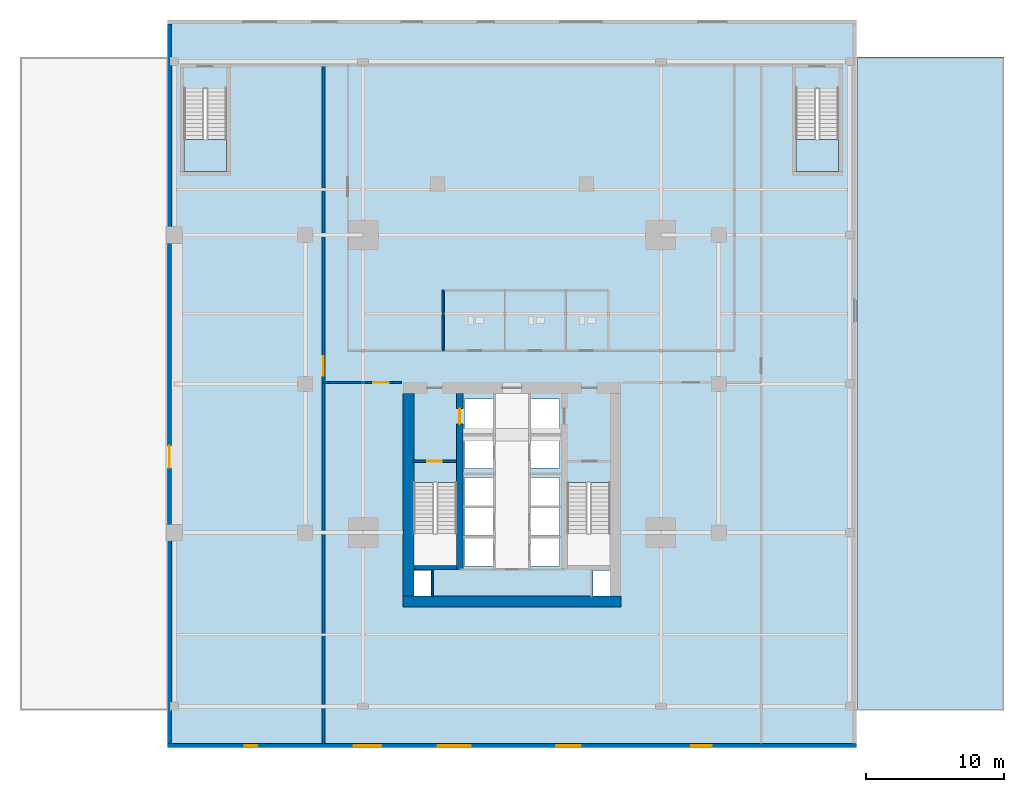
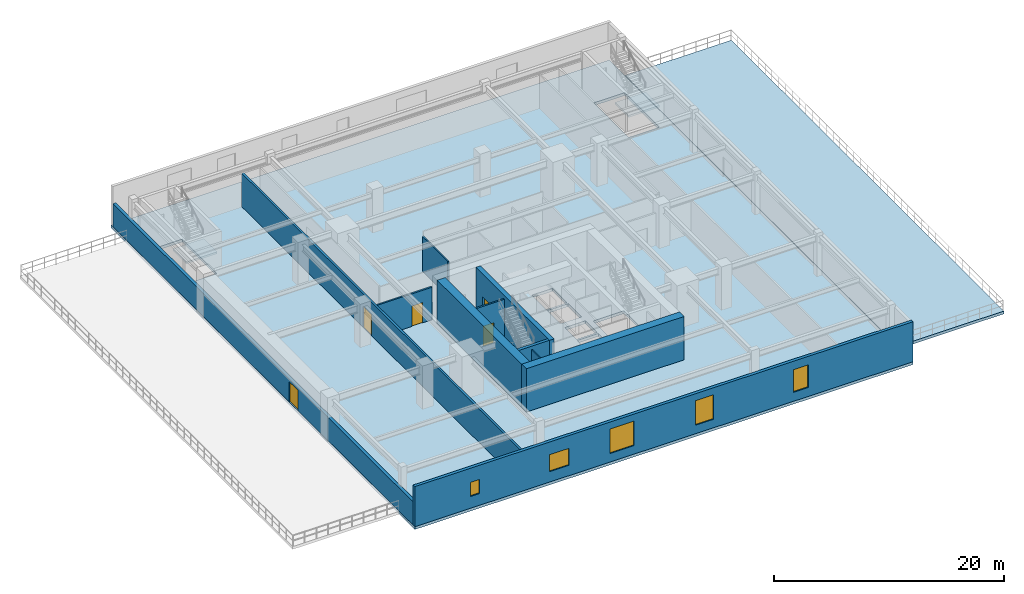
# One storey, part 2 of 9: 11 walls, 5 doors, 5 windows, 4 slabs, 10 openings, 2 elements without a shape of their own.
"""IFC4 building model written with IfcOpenShell, lengths in metres."""

from ifc_helpers import new_model, si_unit, direction, frame, frame_2d, origin, place, context, subcontext, project, spatial, polyline, rectangle, outline, extrude, material, layer, layer_set, type_object, element, fill, aggregate, save


model = new_model("IFC4")

# Units and contexts
model_context = context("Model", 3, precision=1e-05, world=origin(), true_north=direction((0.0, 1.0)))
body_context = subcontext(model_context, "Body", "Model", "MODEL_VIEW")
ifc_project = project(units=[si_unit("LENGTHUNIT", "METRE"), si_unit("AREAUNIT", "SQUARE_METRE"), si_unit("VOLUMEUNIT", "CUBIC_METRE"), si_unit("PLANEANGLEUNIT", "RADIAN"), si_unit("MASSUNIT", "GRAM", prefix="KILO")], contexts=[model_context])

# Site, building, storey
site_placement = place(None, origin())
site = spatial("IfcSite", under=ifc_project, at=site_placement, CompositionType="ELEMENT")
building_placement = place(site_placement, origin())
building = spatial("IfcBuilding", under=site, at=building_placement, Name="Krantzveldt Concourse Tower", CompositionType="ELEMENT")
storey_placement = place(building_placement, frame((0.0, 0.0, 15.39990234375)))
storey = spatial("IfcBuildingStorey", under=building, at=storey_placement, Name="L03", CompositionType="ELEMENT", Elevation=15.39990234375)

# Stair, slab
ifc_material_1 = material(Name="Precast concrete C40/50", Category="concrete")
stair_type = type_object("IfcStairType", Name="STR-CORE-DOGLEG", PredefinedType="HALF_TURN_STAIR", material=ifc_material_1)
stair_1_placement = place(storey_placement, origin())
stair_1 = element("IfcStair", 1, at=stair_1_placement, inside=storey, type_object=stair_type, Name="L03 Podium Escape Stair ST-3", PredefinedType="HALF_TURN_STAIR")
ifc_layer_1 = layer(ifc_material_1, 0.199951171875, Name="Precast concrete C40/50", Category="concrete")
ifc_layer_set_1 = layer_set([ifc_layer_1], Name="Precast concrete C40/50 (SL-LANDING-200)")
slab_type_1 = type_object("IfcSlabType", Name="SL-LANDING-200", PredefinedType="LANDING", material=ifc_layer_set_1)
slab_1_placement = place(storey_placement, frame((0.0, 0.0, 2.10009765625)))
slab_1 = element("IfcSlab", 2, at=slab_1_placement, type_object=slab_type_1, Name="ST-3 landing 1", PredefinedType="LANDING", context=body_context, shape_type="SweptSolid", body=[
    extrude(outline(polyline([(12.199951171875, 44.445068359375), (12.199951171875, 42.1201171875), (15.300048828125, 42.1201171875), (15.300048828125, 44.445068359375), (12.199951171875, 44.445068359375)])), origin(), (0.0, 0.0, 1.0), 0.199951171875),
])
aggregate(stair_1, [slab_1])

stair_2_placement = place(storey_placement, origin())
stair_2 = element("IfcStair", 3, at=stair_2_placement, inside=storey, type_object=stair_type, Name="L03 Podium Escape Stair ST-4", PredefinedType="HALF_TURN_STAIR")
slab_2_placement = place(storey_placement, frame((0.0, 0.0, 2.10009765625)))
slab_2 = element("IfcSlab", 4, at=slab_2_placement, type_object=slab_type_1, Name="ST-4 landing 1", PredefinedType="LANDING", context=body_context, shape_type="SweptSolid", body=[
    extrude(outline(polyline([(56.60009765625, 44.445068359375), (56.60009765625, 42.1201171875), (59.699951171875, 42.1201171875), (59.699951171875, 44.445068359375), (56.60009765625, 44.445068359375)])), origin(), (0.0, 0.0, 1.0), 0.199951171875),
])
aggregate(stair_2, [slab_2])

# Slabs
ifc_material_2 = material(Name="Concrete C40/50", Category="concrete")
ifc_layer_2 = layer(ifc_material_2, 0.300048828125, Name="Concrete C40/50", Category="concrete")
ifc_layer_set_2 = layer_set([ifc_layer_2], Name="Concrete C40/50 (SL-SL-POD300)")
slab_type_2 = type_object("IfcSlabType", Name="SL-SL-POD300", PredefinedType="FLOOR", material=ifc_layer_set_2)
slab_3_placement = place(storey_placement, frame((0.0, 0.0, -0.2998046875)))
element("IfcSlab", 5, at=slab_3_placement, inside=storey, type_object=slab_type_2, Name="SL-L03-MAIN", PredefinedType="FLOOR", context=body_context, shape_type="SweptSolid", body=[
    extrude(outline(polyline([(11.0, 0.300048828125), (61.0, 0.300048828125), (61.0, 53.10009765625), (11.0, 53.10009765625), (11.0, 0.300048828125)]), holes=[polyline([(28.8798828125, 19.547607421875), (28.8798828125, 13.52001953125), (31.97998046875, 13.52001953125), (31.97998046875, 19.547607421875), (28.8798828125, 19.547607421875)]), polyline([(40.02001953125, 19.547607421875), (40.02001953125, 13.52001953125), (43.1201171875, 13.52001953125), (43.1201171875, 19.547607421875), (40.02001953125, 19.547607421875)]), polyline([(12.199951171875, 48.1474609375), (12.199951171875, 42.1201171875), (15.300048828125, 42.1201171875), (15.300048828125, 48.1474609375), (12.199951171875, 48.1474609375)]), polyline([(56.60009765625, 48.1474609375), (56.60009765625, 42.1201171875), (59.699951171875, 42.1201171875), (59.699951171875, 48.1474609375), (56.60009765625, 48.1474609375)]), polyline([(32.550048828125, 23.10009765625), (34.64990234375, 23.10009765625), (34.64990234375, 25.60009765625), (32.550048828125, 25.60009765625), (32.550048828125, 23.10009765625)]), polyline([(37.35009765625, 23.10009765625), (39.449951171875, 23.10009765625), (39.449951171875, 25.60009765625), (37.35009765625, 25.60009765625), (37.35009765625, 23.10009765625)]), polyline([(37.35009765625, 20.60009765625), (39.449951171875, 20.60009765625), (39.449951171875, 22.89990234375), (37.35009765625, 22.89990234375), (37.35009765625, 20.60009765625)]), polyline([(32.550048828125, 13.47998046875), (34.64990234375, 13.47998046875), (34.64990234375, 15.47998046875), (32.550048828125, 15.47998046875), (32.550048828125, 13.47998046875)]), polyline([(32.550048828125, 15.679931640625), (34.64990234375, 15.679931640625), (34.64990234375, 17.679931640625), (32.550048828125, 17.679931640625), (32.550048828125, 15.679931640625)]), polyline([(37.35009765625, 13.47998046875), (39.449951171875, 13.47998046875), (39.449951171875, 15.47998046875), (37.35009765625, 15.47998046875), (37.35009765625, 13.47998046875)]), polyline([(37.35009765625, 15.679931640625), (39.449951171875, 15.679931640625), (39.449951171875, 17.679931640625), (37.35009765625, 17.679931640625), (37.35009765625, 15.679931640625)]), polyline([(32.550048828125, 20.550048828125), (34.6201171875, 20.550048828125), (34.6201171875, 22.89990234375), (32.550048828125, 22.89990234375), (32.550048828125, 20.550048828125)]), polyline([(32.550048828125, 17.8798828125), (34.6201171875, 17.8798828125), (34.6201171875, 19.919921875), (32.550048828125, 19.919921875), (32.550048828125, 17.8798828125)]), polyline([(37.3798828125, 17.8798828125), (39.449951171875, 17.8798828125), (39.449951171875, 19.919921875), (37.3798828125, 19.919921875), (37.3798828125, 17.8798828125)]), polyline([(28.8798828125, 11.320068359375), (30.139892578125, 11.320068359375), (30.139892578125, 13.159912109375), (28.8798828125, 13.159912109375), (28.8798828125, 11.320068359375)]), polyline([(41.860107421875, 11.320068359375), (43.1201171875, 11.320068359375), (43.1201171875, 13.159912109375), (41.860107421875, 13.159912109375), (41.860107421875, 11.320068359375)])]), origin(), (0.0, 0.0, 1.0), 0.2998046875),
])
ifc_layer_3 = layer(ifc_material_2, 0.300048828125, Name="Concrete C40/50", Category="concrete")
ifc_layer_set_3 = layer_set([ifc_layer_3], Name="Concrete C40/50 (SL-SL-PTER300)")
slab_type_3 = type_object("IfcSlabType", Name="SL-SL-PTER300", PredefinedType="FLOOR", material=ifc_layer_set_3)
slab_4_placement = place(storey_placement, frame((0.0, 0.0, -0.2998046875)))
element("IfcSlab", 6, at=slab_4_placement, inside=storey, type_object=slab_type_3, Name="SL-L03-TER-E", PredefinedType="FLOOR", context=body_context, shape_type="SweptSolid", body=[
    extrude(outline(polyline([(61.02001953125, 3.0), (71.699951171875, 3.0), (71.699951171875, 50.39990234375), (61.02001953125, 50.39990234375), (61.02001953125, 3.0)])), origin(), (0.0, 0.0, 1.0), 0.2998046875),
])

# Wall, openings, windows
ifc_layer_4 = layer(ifc_material_2, 0.300048828125, Name="Concrete C40/50", Category="concrete")
ifc_layer_set_4 = layer_set([ifc_layer_4], Name="Concrete C40/50 (WL-EXT-GRAN300)")
wall_type_1 = type_object("IfcWallType", Name="WL-EXT-GRAN300", PredefinedType="SOLIDWALL", material=ifc_layer_set_4)
wall_1_placement = place(storey_placement, frame((61.0, 0.449951171875, 0.0), z_axis=(0.0, 0.0, 1.0), x_axis=(-1.0, 0.0, 0.0)))
wall_1 = element("IfcWall", 7, at=wall_1_placement, inside=storey, type_object=wall_type_1, Name="EW-L03-S", PredefinedType="SOLIDWALL", context=body_context, shape_type="SweptSolid", body=[
    extrude(rectangle(XDim=50.0, YDim=0.300048828125, at=frame_2d((25.0, 0.0))), origin(), (0.0, 0.0, 1.0), 4.25),
])
opening_1_placement = place(wall_1_placement, frame((43.5, 0.0, 1.25)))
opening_1 = element("IfcOpeningElement", 8, at=opening_1_placement, cuts=wall_1, Name="Opening W-POD-0900x1500", PredefinedType="OPENING", context=body_context, shape_type="SweptSolid", body=[
    extrude(rectangle(XDim=0.89990234375, YDim=1.5, at=frame_2d((0.449951171875, 0.75))), frame((0.0, 0.16015625, 0.0), z_axis=(0.0, -1.0, 0.0), x_axis=(1.0, 0.0, 0.0)), (0.0, 0.0, 1.0), 0.320068359375),
])
opening_2_placement = place(wall_1_placement, frame((34.5, 0.0, 1.10009765625)))
opening_2 = element("IfcOpeningElement", 9, at=opening_2_placement, cuts=wall_1, Name="Opening W-POD-2000x1800", PredefinedType="OPENING", context=body_context, shape_type="SweptSolid", body=[
    extrude(rectangle(XDim=2.0, YDim=1.800048828125, at=frame_2d((1.0, 0.89990234375))), frame((0.0, 0.16015625, 0.0), z_axis=(0.0, -1.0, 0.0), x_axis=(1.0, 0.0, 0.0)), (0.0, 0.0, 1.0), 0.320068359375),
])
opening_3_placement = place(wall_1_placement, frame((28.0, 0.0, 0.89990234375)))
opening_3 = element("IfcOpeningElement", 10, at=opening_3_placement, cuts=wall_1, Name="Opening W-POD-2400x2600", PredefinedType="OPENING", context=body_context, shape_type="SweptSolid", body=[
    extrude(rectangle(XDim=2.39990234375, YDim=2.60009765625, at=frame_2d((1.199951171875, 1.300048828125))), frame((0.0, 0.16015625, 0.0), z_axis=(0.0, -1.0, 0.0), x_axis=(1.0, 0.0, 0.0)), (0.0, 0.0, 1.0), 0.320068359375),
])
opening_4_placement = place(wall_1_placement, frame((20.0, 0.0, 0.89990234375)))
opening_4 = element("IfcOpeningElement", 11, at=opening_4_placement, cuts=wall_1, Name="Opening W-POD-1800x2600", PredefinedType="OPENING", context=body_context, shape_type="SweptSolid", body=[
    extrude(rectangle(XDim=1.800048828125, YDim=2.60009765625, at=frame_2d((0.89990234375, 1.300048828125))), frame((0.0, 0.16015625, 0.0), z_axis=(0.0, -1.0, 0.0), x_axis=(1.0, 0.0, 0.0)), (0.0, 0.0, 1.0), 0.320068359375),
])
opening_5_placement = place(wall_1_placement, frame((10.5, 0.0, 0.949951171875)))
opening_5 = element("IfcOpeningElement", 12, at=opening_5_placement, cuts=wall_1, Name="Opening W-POD-1500x2400", PredefinedType="OPENING", context=body_context, shape_type="SweptSolid", body=[
    extrude(rectangle(XDim=1.5, YDim=2.39990234375, at=frame_2d((0.75, 1.199951171875))), frame((0.0, 0.16015625, 0.0), z_axis=(0.0, -1.0, 0.0), x_axis=(1.0, 0.0, 0.0)), (0.0, 0.0, 1.0), 0.320068359375),
])
ifc_material_3 = material(Name="Bronze-tinted laminated low-E IGU glass", Category="glass")
window_type_1 = type_object("IfcWindowType", Name="WN-POD-0900x1500", PartitioningType="SINGLE_PANEL", PredefinedType="WINDOW", material=ifc_material_3)
window_1_placement = place(opening_1_placement, origin())
window_1 = element("IfcWindow", 13, at=window_1_placement, inside=storey, type_object=window_type_1, Name="WN-L03-S01", OverallHeight=1.5, OverallWidth=0.89990234375, PartitioningType="SINGLE_PANEL", PredefinedType="WINDOW", context=body_context, shape_type="SweptSolid", body=[
    extrude(rectangle(XDim=0.89990234375, YDim=1.5, at=frame_2d((0.449951171875, 0.75))), frame((0.0, 0.030029296875, 0.0), z_axis=(0.0, -1.0, 0.0), x_axis=(1.0, 0.0, 0.0)), (0.0, 0.0, 1.0), 0.06005859375),
])
fill(opening_1, window_1)
window_type_2 = type_object("IfcWindowType", Name="WN-POD-1500x2400", PartitioningType="SINGLE_PANEL", PredefinedType="WINDOW", material=ifc_material_3)
window_2_placement = place(opening_5_placement, origin())
window_2 = element("IfcWindow", 14, at=window_2_placement, inside=storey, type_object=window_type_2, Name="WN-L03-S05", OverallHeight=2.39990234375, OverallWidth=1.5, PartitioningType="SINGLE_PANEL", PredefinedType="WINDOW", context=body_context, shape_type="SweptSolid", body=[
    extrude(rectangle(XDim=1.5, YDim=2.39990234375, at=frame_2d((0.75, 1.199951171875))), frame((0.0, 0.030029296875, 0.0), z_axis=(0.0, -1.0, 0.0), x_axis=(1.0, 0.0, 0.0)), (0.0, 0.0, 1.0), 0.06005859375),
])
fill(opening_5, window_2)
window_type_3 = type_object("IfcWindowType", Name="WN-POD-1800x2600", PartitioningType="SINGLE_PANEL", PredefinedType="WINDOW", material=ifc_material_3)
window_3_placement = place(opening_4_placement, origin())
window_3 = element("IfcWindow", 15, at=window_3_placement, inside=storey, type_object=window_type_3, Name="WN-L03-S04", OverallHeight=2.60009765625, OverallWidth=1.800048828125, PartitioningType="SINGLE_PANEL", PredefinedType="WINDOW", context=body_context, shape_type="SweptSolid", body=[
    extrude(rectangle(XDim=1.800048828125, YDim=2.60009765625, at=frame_2d((0.89990234375, 1.300048828125))), frame((0.0, 0.030029296875, 0.0), z_axis=(0.0, -1.0, 0.0), x_axis=(1.0, 0.0, 0.0)), (0.0, 0.0, 1.0), 0.06005859375),
])
fill(opening_4, window_3)
window_type_4 = type_object("IfcWindowType", Name="WN-POD-2000x1800", PartitioningType="SINGLE_PANEL", PredefinedType="WINDOW", material=ifc_material_3)
window_4_placement = place(opening_2_placement, origin())
window_4 = element("IfcWindow", 16, at=window_4_placement, inside=storey, type_object=window_type_4, Name="WN-L03-S02", OverallHeight=1.800048828125, OverallWidth=2.0, PartitioningType="SINGLE_PANEL", PredefinedType="WINDOW", context=body_context, shape_type="SweptSolid", body=[
    extrude(rectangle(XDim=2.0, YDim=1.800048828125, at=frame_2d((1.0, 0.89990234375))), frame((0.0, 0.030029296875, 0.0), z_axis=(0.0, -1.0, 0.0), x_axis=(1.0, 0.0, 0.0)), (0.0, 0.0, 1.0), 0.06005859375),
])
fill(opening_2, window_4)
window_type_5 = type_object("IfcWindowType", Name="WN-POD-2400x2600", PartitioningType="SINGLE_PANEL", PredefinedType="WINDOW", material=ifc_material_3)
window_5_placement = place(opening_3_placement, origin())
window_5 = element("IfcWindow", 17, at=window_5_placement, inside=storey, type_object=window_type_5, Name="WN-L03-S03", OverallHeight=2.60009765625, OverallWidth=2.39990234375, PartitioningType="SINGLE_PANEL", PredefinedType="WINDOW", context=body_context, shape_type="SweptSolid", body=[
    extrude(rectangle(XDim=2.39990234375, YDim=2.60009765625, at=frame_2d((1.199951171875, 1.300048828125))), frame((0.0, 0.030029296875, 0.0), z_axis=(0.0, -1.0, 0.0), x_axis=(1.0, 0.0, 0.0)), (0.0, 0.0, 1.0), 0.06005859375),
])
fill(opening_3, window_5)

# Wall, opening, door
wall_2_placement = place(storey_placement, frame((11.14990234375, 0.60009765625, 0.0), z_axis=(0.0, 0.0, 1.0), x_axis=(0.0, 1.0, 0.0)))
wall_2 = element("IfcWall", 18, at=wall_2_placement, inside=storey, type_object=wall_type_1, Name="EW-L03-W", PredefinedType="SOLIDWALL", context=body_context, shape_type="SweptSolid", body=[
    extrude(rectangle(XDim=52.199951171875, YDim=0.300048828125, at=frame_2d((26.10009765625, 0.0))), origin(), (0.0, 0.0, 1.0), 2.4501953125),
])
opening_6_placement = place(wall_2_placement, frame((20.0, 0.0, 0.0)))
opening_6 = element("IfcOpeningElement", 19, at=opening_6_placement, cuts=wall_2, Name="Opening D-TR16", PredefinedType="OPENING", context=body_context, shape_type="SweptSolid", body=[
    extrude(rectangle(XDim=1.60009765625, YDim=2.14990234375, at=frame_2d((0.800048828125, 1.074951171875))), frame((0.0, 0.16015625, 0.0), z_axis=(0.0, -1.0, 0.0), x_axis=(1.0, 0.0, 0.0)), (0.0, 0.0, 1.0), 0.320068359375),
])
ifc_material_4 = material(Name="Anodised aluminium 6063-T6", Category="aluminium")
door_type_1 = type_object("IfcDoorType", Name="DR-TER-1600", OperationType="DOUBLE_DOOR_SINGLE_SWING", PredefinedType="DOOR", material=ifc_material_4)
door_1_placement = place(opening_6_placement, origin())
door_1 = element("IfcDoor", 20, at=door_1_placement, inside=storey, type_object=door_type_1, Name="DR-L03-TERW", OperationType="DOUBLE_DOOR_SINGLE_SWING", OverallHeight=2.14990234375, OverallWidth=1.60009765625, PredefinedType="DOOR", context=body_context, shape_type="SweptSolid", body=[
    extrude(rectangle(XDim=1.60009765625, YDim=2.14990234375, at=frame_2d((0.800048828125, 1.074951171875))), frame((0.0, 0.02490234375, 0.0), z_axis=(0.0, -1.0, 0.0), x_axis=(1.0, 0.0, 0.0)), (0.0, 0.0, 1.0), 0.050048828125),
])
fill(opening_6, door_1)

# Walls
ifc_material_5 = material(Name="Fire-rated gypsum plasterboard on steel stud", Category="steel")
ifc_layer_5 = layer(ifc_material_5, 0.139892578125, Name="Fire-rated gypsum plasterboard on steel stud", Category="steel")
ifc_layer_set_5 = layer_set([ifc_layer_5], Name="Fire-rated gypsum plasterboard on steel stud (WL-PART-140)")
wall_type_2 = type_object("IfcWallType", Name="WL-PART-140", PredefinedType="PARTITIONING", material=ifc_layer_set_5)
wall_3_placement = place(storey_placement, frame((31.0, 29.10009765625, 0.0), z_axis=(0.0, 0.0, 1.0), x_axis=(0.0, 1.0, 0.0)))
element("IfcWall", 21, at=wall_3_placement, inside=storey, type_object=wall_type_2, Name="WP-L03-WCW", PredefinedType="PARTITIONING", context=body_context, shape_type="SweptSolid", body=[
    extrude(rectangle(XDim=4.39990234375, YDim=0.139892578125, at=frame_2d((2.199951171875, 0.0))), origin(), (0.0, 0.0, 1.0), 3.7001953125),
])
ifc_layer_6 = layer(ifc_material_5, 0.139892578125, Name="Fire-rated gypsum plasterboard on steel stud", Category="steel")
ifc_layer_set_6 = layer_set([ifc_layer_6], Name="Fire-rated gypsum plasterboard on steel stud (WL-PART-FR140)")
wall_type_3 = type_object("IfcWallType", Name="WL-PART-FR140", PredefinedType="PARTITIONING", material=ifc_layer_set_6)
wall_4_placement = place(storey_placement, frame((30.219970703125, 11.25, 0.0), z_axis=(0.0, 0.0, 1.0), x_axis=(0.0, 1.0, 0.0)))
element("IfcWall", 22, at=wall_4_placement, inside=storey, type_object=wall_type_3, Name="WP-L03-RSW", PredefinedType="PARTITIONING", context=body_context, shape_type="SweptSolid", body=[
    extrude(rectangle(XDim=1.969970703125, YDim=0.1201171875, at=frame_2d((0.98486328125, 0.0))), origin(), (0.0, 0.0, 1.0), 4.25),
])

# Wall, opening, door
ifc_layer_7 = layer(ifc_material_5, 0.159912109375, Name="Fire-rated gypsum plasterboard on steel stud", Category="steel")
ifc_layer_set_7 = layer_set([ifc_layer_7], Name="Fire-rated gypsum plasterboard on steel stud (WL-PART-FR160)")
wall_type_4 = type_object("IfcWallType", Name="WL-PART-FR160", PredefinedType="PARTITIONING", material=ifc_layer_set_7)
wall_5_placement = place(storey_placement, frame((28.800048828125, 21.080078125, 0.0), z_axis=(0.0, 0.0, 1.0), x_axis=(1.0, 0.0, 0.0)))
wall_5 = element("IfcWall", 23, at=wall_5_placement, inside=storey, type_object=wall_type_4, Name="WP-L03-ST1", PredefinedType="PARTITIONING", context=body_context, shape_type="SweptSolid", body=[
    extrude(rectangle(XDim=3.159912109375, YDim=0.159912109375, at=frame_2d((1.580078125, 0.0))), origin(), (0.0, 0.0, 1.0), 4.25),
])
opening_7_placement = place(wall_5_placement, frame((1.054931640625, 0.0, 0.0)))
opening_7 = element("IfcOpeningElement", 24, at=opening_7_placement, cuts=wall_5, Name="Opening D-FD105", PredefinedType="OPENING", context=body_context, shape_type="SweptSolid", body=[
    extrude(rectangle(XDim=1.050048828125, YDim=2.10009765625, at=frame_2d((0.52490234375, 1.050048828125))), frame((0.0, 0.08984375, 0.0), z_axis=(0.0, -1.0, 0.0), x_axis=(1.0, 0.0, 0.0)), (0.0, 0.0, 1.0), 0.179931640625),
])
ifc_material_6 = material(Name="Galvanised steel", Category="steel")
door_type_2 = type_object("IfcDoorType", Name="DR-FD120-1050", OperationType="SINGLE_SWING_LEFT", PredefinedType="DOOR", material=ifc_material_6)
door_2_placement = place(opening_7_placement, origin())
door_2 = element("IfcDoor", 25, at=door_2_placement, inside=storey, type_object=door_type_2, Name="DR-L03-ST1", OperationType="SINGLE_SWING_RIGHT", OverallHeight=2.10009765625, OverallWidth=1.050048828125, PredefinedType="DOOR", context=body_context, shape_type="SweptSolid", body=[
    extrude(rectangle(XDim=1.050048828125, YDim=2.10009765625, at=frame_2d((0.52490234375, 1.050048828125))), frame((0.0, 0.02490234375, 0.0), z_axis=(0.0, -1.0, 0.0), x_axis=(1.0, 0.0, 0.0)), (0.0, 0.0, 1.0), 0.050048828125),
])
fill(opening_7, door_2)

wall_6_placement = place(storey_placement, frame((22.320068359375, 26.800048828125, 0.0), z_axis=(0.0, 0.0, 1.0), x_axis=(1.0, 0.0, 0.0)))
wall_6 = element("IfcWall", 26, at=wall_6_placement, inside=storey, type_object=wall_type_4, Name="WP-L03-S1", PredefinedType="PARTITIONING", context=body_context, shape_type="SweptSolid", body=[
    extrude(rectangle(XDim=5.679931640625, YDim=0.159912109375, at=frame_2d((2.83984375, 0.0))), origin(), (0.0, 0.0, 1.0), 3.4501953125),
])
opening_8_placement = place(wall_6_placement, frame((3.6298828125, 0.0, 0.0)))
opening_8 = element("IfcOpeningElement", 27, at=opening_8_placement, cuts=wall_6, Name="Opening D-FD611", PredefinedType="OPENING", context=body_context, shape_type="SweptSolid", body=[
    extrude(rectangle(XDim=1.10009765625, YDim=2.14990234375, at=frame_2d((0.550048828125, 1.074951171875))), frame((0.0, 0.08984375, 0.0), z_axis=(0.0, -1.0, 0.0), x_axis=(1.0, 0.0, 0.0)), (0.0, 0.0, 1.0), 0.179931640625),
])
ifc_material_7 = material(Name="Hardwood timber", Category="wood")
door_type_3 = type_object("IfcDoorType", Name="DR-FD60-1100", OperationType="SINGLE_SWING_LEFT", PredefinedType="DOOR", material=ifc_material_7)
door_3_placement = place(opening_8_placement, origin())
door_3 = element("IfcDoor", 28, at=door_3_placement, inside=storey, type_object=door_type_3, Name="DR-L03-KIT", OperationType="SINGLE_SWING_LEFT", OverallHeight=2.14990234375, OverallWidth=1.10009765625, PredefinedType="DOOR", context=body_context, shape_type="SweptSolid", body=[
    extrude(rectangle(XDim=1.10009765625, YDim=2.14990234375, at=frame_2d((0.550048828125, 1.074951171875))), frame((0.0, 0.02490234375, 0.0), z_axis=(0.0, -1.0, 0.0), x_axis=(1.0, 0.0, 0.0)), (0.0, 0.0, 1.0), 0.050048828125),
])
fill(opening_8, door_3)

ifc_layer_8 = layer(ifc_material_5, 0.199951171875, Name="Fire-rated gypsum plasterboard on steel stud", Category="steel")
ifc_layer_set_8 = layer_set([ifc_layer_8], Name="Fire-rated gypsum plasterboard on steel stud (WL-PART-FR200)")
wall_type_5 = type_object("IfcWallType", Name="WL-PART-FR200", PredefinedType="PARTITIONING", material=ifc_layer_set_8)
wall_7_placement = place(storey_placement, frame((22.320068359375, 0.60498046875, 0.0), z_axis=(0.0, 0.0, 1.0), x_axis=(0.0, 1.0, 0.0)))
wall_7 = element("IfcWall", 29, at=wall_7_placement, inside=storey, type_object=wall_type_5, Name="WP-L03-CWL1", PredefinedType="PARTITIONING", context=body_context, shape_type="SweptSolid", body=[
    extrude(rectangle(XDim=49.215087890625, YDim=0.199951171875, at=frame_2d((24.607421875, 0.0))), origin(), (0.0, 0.0, 1.0), 3.550048828125),
])
opening_9_placement = place(wall_7_placement, frame((26.695068359375, 0.0, 0.0)))
opening_9 = element("IfcOpeningElement", 30, at=opening_9_placement, cuts=wall_7, Name="Opening D-DB140", PredefinedType="OPENING", context=body_context, shape_type="SweptSolid", body=[
    extrude(rectangle(XDim=1.39990234375, YDim=2.199951171875, at=frame_2d((0.699951171875, 1.10009765625))), frame((0.0, 0.10986328125, 0.0), z_axis=(0.0, -1.0, 0.0), x_axis=(1.0, 0.0, 0.0)), (0.0, 0.0, 1.0), 0.219970703125),
])
door_type_4 = type_object("IfcDoorType", Name="DR-DBL-1400", OperationType="DOUBLE_DOOR_SINGLE_SWING", PredefinedType="DOOR", material=ifc_material_4)
door_4_placement = place(opening_9_placement, origin())
door_4 = element("IfcDoor", 31, at=door_4_placement, inside=storey, type_object=door_type_4, Name="DR-L03-REST", OperationType="DOUBLE_DOOR_SINGLE_SWING", OverallHeight=2.199951171875, OverallWidth=1.39990234375, PredefinedType="DOOR", context=body_context, shape_type="SweptSolid", body=[
    extrude(rectangle(XDim=1.39990234375, YDim=2.199951171875, at=frame_2d((0.699951171875, 1.10009765625))), frame((0.0, 0.02490234375, 0.0), z_axis=(0.0, -1.0, 0.0), x_axis=(1.0, 0.0, 0.0)), (0.0, 0.0, 1.0), 0.050048828125),
])
fill(opening_9, door_4)

# Wall
ifc_material_8 = material(Name="Concrete C50/60", Category="concrete")
ifc_layer_9 = layer(ifc_material_8, 0.300048828125, Name="Concrete C50/60", Category="concrete")
ifc_layer_set_9 = layer_set([ifc_layer_9], Name="Concrete C50/60 (WL-SHEAR-300)")
wall_type_6 = type_object("IfcWallType", Name="WL-SHEAR-300", PredefinedType="SHEAR", material=ifc_layer_set_9)
wall_8_placement = place(storey_placement, frame((28.8798828125, 13.3701171875, 0.0), z_axis=(0.0, 0.0, 1.0), x_axis=(1.0, 0.0, 0.0)))
element("IfcWall", 32, at=wall_8_placement, inside=storey, type_object=wall_type_6, Name="CW-L03-ST1S", PredefinedType="SHEAR", context=body_context, shape_type="SweptSolid", body=[
    extrude(rectangle(XDim=3.10009765625, YDim=0.300048828125, at=frame_2d((1.550048828125, 0.0))), origin(), (0.0, 0.0, 1.0), 4.60009765625),
])

# Wall, opening, door
ifc_layer_10 = layer(ifc_material_8, 0.449951171875, Name="Concrete C50/60", Category="concrete")
ifc_layer_set_10 = layer_set([ifc_layer_10], Name="Concrete C50/60 (WL-SHEAR-450)")
wall_type_7 = type_object("IfcWallType", Name="WL-SHEAR-450", PredefinedType="SHEAR", material=ifc_layer_set_10)
wall_9_placement = place(storey_placement, frame((32.205078125, 13.219970703125, 0.0), z_axis=(0.0, 0.0, 1.0), x_axis=(0.0, 1.0, 0.0)))
wall_9 = element("IfcWall", 33, at=wall_9_placement, inside=storey, type_object=wall_type_7, Name="CW-L03-IW", PredefinedType="SHEAR", context=body_context, shape_type="SweptSolid", body=[
    extrude(rectangle(XDim=12.780029296875, YDim=0.449951171875, at=frame_2d((6.39013671875, 0.0))), origin(), (0.0, 0.0, 1.0), 4.60009765625),
])
opening_10_placement = place(wall_9_placement, frame((10.580078125, 0.0, 0.0)))
opening_10 = element("IfcOpeningElement", 34, at=opening_10_placement, cuts=wall_9, Name="Opening LD", PredefinedType="OPENING", context=body_context, shape_type="SweptSolid", body=[
    extrude(rectangle(XDim=1.10009765625, YDim=2.14990234375, at=frame_2d((0.550048828125, 1.074951171875))), frame((0.0, 0.23486328125, 0.0), z_axis=(0.0, -1.0, 0.0), x_axis=(1.0, 0.0, 0.0)), (0.0, 0.0, 1.0), 0.469970703125),
])
ifc_material_9 = material(Name="Stainless steel 316L", Category="steel")
door_type_5 = type_object("IfcDoorType", Name="DR-SLIDE-LD1100", OperationType="DOUBLE_DOOR_SLIDING", PredefinedType="DOOR", material=ifc_material_9)
door_5_placement = place(opening_10_placement, origin())
door_5 = element("IfcDoor", 35, at=door_5_placement, inside=storey, type_object=door_type_5, Name="LD-L03-FL1", OperationType="DOUBLE_DOOR_SLIDING", OverallHeight=2.14990234375, OverallWidth=1.10009765625, PredefinedType="DOOR", context=body_context, shape_type="SweptSolid", body=[
    extrude(rectangle(XDim=1.10009765625, YDim=2.14990234375, at=frame_2d((0.550048828125, 1.074951171875))), frame((0.0, 0.02490234375, 0.0), z_axis=(0.0, -1.0, 0.0), x_axis=(1.0, 0.0, 0.0)), (0.0, 0.0, 1.0), 0.050048828125),
])
fill(opening_10, door_5)

# Walls
ifc_material_10 = material(Name="Concrete C60/75", Category="concrete")
ifc_layer_11 = layer(ifc_material_10, 0.800048828125, Name="Concrete C60/75", Category="concrete")
ifc_layer_set_11 = layer_set([ifc_layer_11], Name="Concrete C60/75 (WL-SHEAR-800)")
wall_type_8 = type_object("IfcWallType", Name="WL-SHEAR-800", PredefinedType="SHEAR", material=ifc_layer_set_11)
wall_10_placement = place(storey_placement, frame((28.080078125, 10.89990234375, 0.0), z_axis=(0.0, 0.0, 1.0), x_axis=(1.0, 0.0, 0.0)))
element("IfcWall", 36, at=wall_10_placement, inside=storey, type_object=wall_type_8, Name="CW-L03-S", PredefinedType="SHEAR", context=body_context, shape_type="SweptSolid", body=[
    extrude(rectangle(XDim=15.83984375, YDim=0.800048828125, at=frame_2d((7.919921875, 0.0))), origin(), (0.0, 0.0, 1.0), 4.60009765625),
])
wall_11_placement = place(storey_placement, frame((28.47998046875, 11.300048828125, 0.0), z_axis=(0.0, 0.0, 1.0), x_axis=(0.0, 1.0, 0.0)))
element("IfcWall", 37, at=wall_11_placement, inside=storey, type_object=wall_type_8, Name="CW-L03-W", PredefinedType="SHEAR", context=body_context, shape_type="SweptSolid", body=[
    extrude(rectangle(XDim=14.699951171875, YDim=0.800048828125, at=frame_2d((7.35009765625, 0.0))), origin(), (0.0, 0.0, 1.0), 4.60009765625),
])

save(model, "model.ifc")
